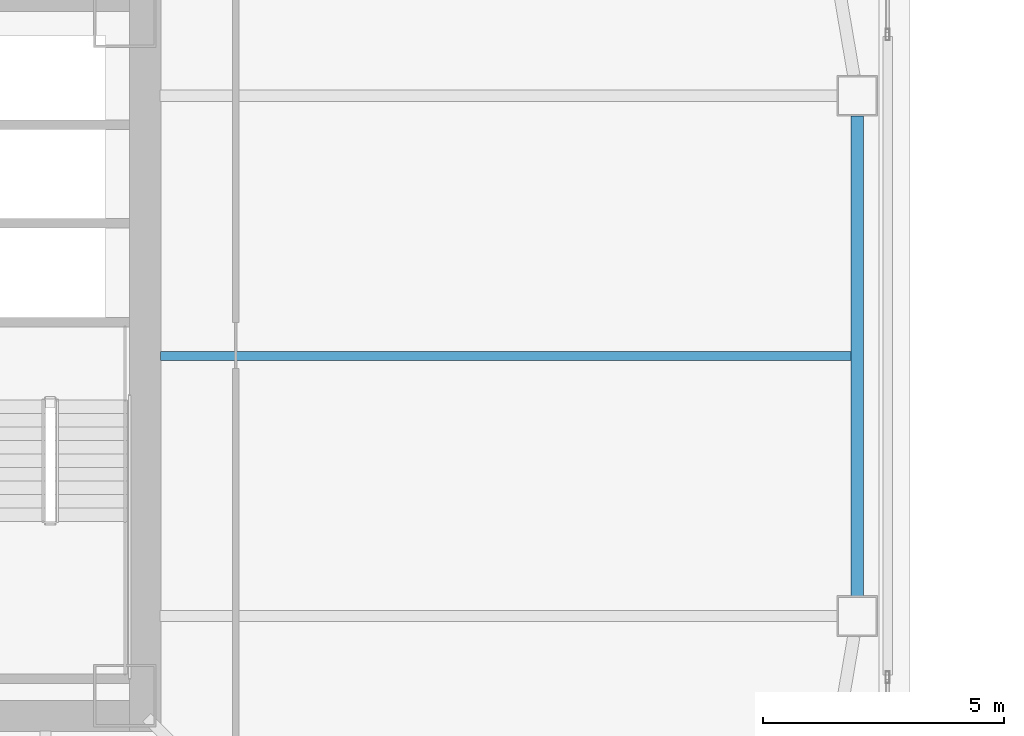
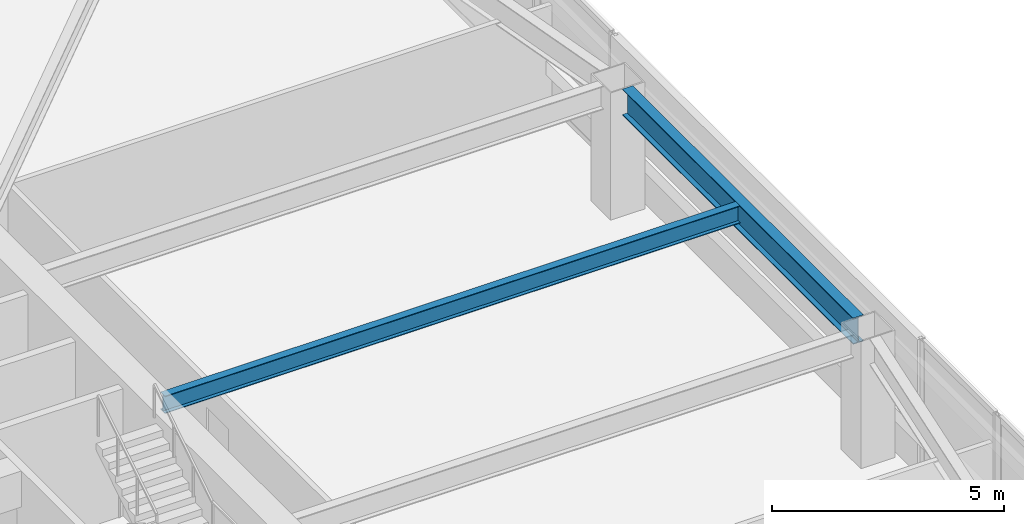
# One storey, part 11 of 46: 2 beams.
"""IFC4 building model written with IfcOpenShell, lengths in metres."""

from ifc_helpers import new_model, si_unit, direction, frame, origin, origin_2d, place, context, subcontext, project, spatial, i_section, extrude, material, material_profile, profile_set, type_object, element, save


model = new_model("IFC4")

# Units and contexts
model_context = context("Model", 3, precision=1e-05, world=origin(), true_north=direction((0.0, 1.0)))
body_context = subcontext(model_context, "Body", "Model", "MODEL_VIEW")
ifc_project = project(units=[si_unit("LENGTHUNIT", "METRE"), si_unit("AREAUNIT", "SQUARE_METRE"), si_unit("VOLUMEUNIT", "CUBIC_METRE"), si_unit("PLANEANGLEUNIT", "RADIAN"), si_unit("MASSUNIT", "GRAM", prefix="KILO")], contexts=[model_context])

# Site, building, storey
site_placement = place(None, origin())
site = spatial("IfcSite", under=ifc_project, at=site_placement, CompositionType="ELEMENT")
building_placement = place(site_placement, origin())
building = spatial("IfcBuilding", under=site, at=building_placement, Name="Tashvorn Skyway Center", CompositionType="ELEMENT")
storey_placement = place(building_placement, frame((0.0, 0.0, 31.699951171875)))
storey = spatial("IfcBuildingStorey", under=building, at=storey_placement, Name="L07", CompositionType="ELEMENT", Elevation=31.699951171875)

# Beams
ifc_material = material(Name="Steel ASTM A992 Grade 50", Category="steel")
ifc_material_profile_1 = material_profile(ifc_material, i_section(OverallWidth=0.19091796875, OverallDepth=0.4599609375, WebThickness=0.010009765625, FlangeThickness=0.01611328125, at=origin_2d()), Name="W18X55")
ifc_profile_set_1 = profile_set([ifc_material_profile_1], Name="Steel ASTM A992 Grade 50")
beam_type_1 = type_object("IfcBeamType", Name="BM-JOIST-W18X55", PredefinedType="JOIST", material=ifc_profile_set_1)
beam_1_placement = place(storey_placement, frame((49.7900390625, 32.0, 3.1201171875), z_axis=(1.0, 0.0, 0.0), x_axis=(0.0, 1.0, 0.0)))
element("IfcBeam", 1, at=beam_1_placement, inside=storey, type_object=beam_type_1, Name="Tower 1 L07 Secondary Composite Joist JE", PredefinedType="JOIST", context=body_context, shape_type="SweptSolid", body=[
    extrude(i_section(OverallWidth=0.19091796875, OverallDepth=0.4599609375, WebThickness=0.010009765625, FlangeThickness=0.01611328125, at=origin_2d()), origin(), (0.0, 0.0, 1.0), 14.33984375),
])
ifc_material_profile_2 = material_profile(ifc_material, i_section(OverallWidth=0.256103515625, OverallDepth=0.693115234375, WebThickness=0.014404296875, FlangeThickness=0.023681640625, at=origin_2d()), Name="W27X114")
ifc_profile_set_2 = profile_set([ifc_material_profile_2], Name="Steel ASTM A992 Grade 50")
beam_type_2 = type_object("IfcBeamType", Name="BM-SPANDREL-W27X114", PredefinedType="SPANDREL", material=ifc_profile_set_2)
beam_2_placement = place(storey_placement, frame((64.25, 27.02001953125, 3.003662109375), z_axis=(0.0, 1.0, 0.0), x_axis=(-1.0, 0.0, 0.0)))
element("IfcBeam", 2, at=beam_2_placement, inside=storey, type_object=beam_type_2, Name="Tower 1 L07 Spandrel Beam 05", PredefinedType="SPANDREL", context=body_context, shape_type="SweptSolid", body=[
    extrude(i_section(OverallWidth=0.256103515625, OverallDepth=0.693115234375, WebThickness=0.014404296875, FlangeThickness=0.023681640625, at=origin_2d()), origin(), (0.0, 0.0, 1.0), 9.9599609375),
])

save(model, "model.ifc")
